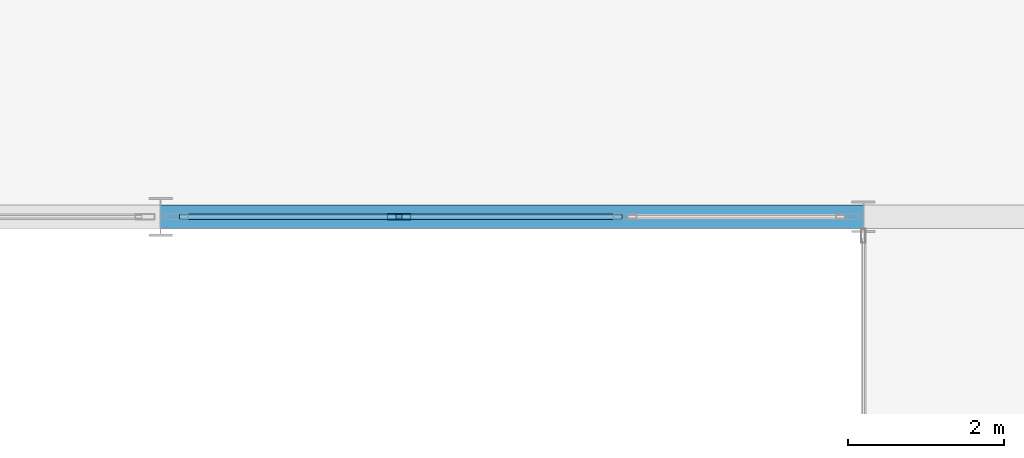
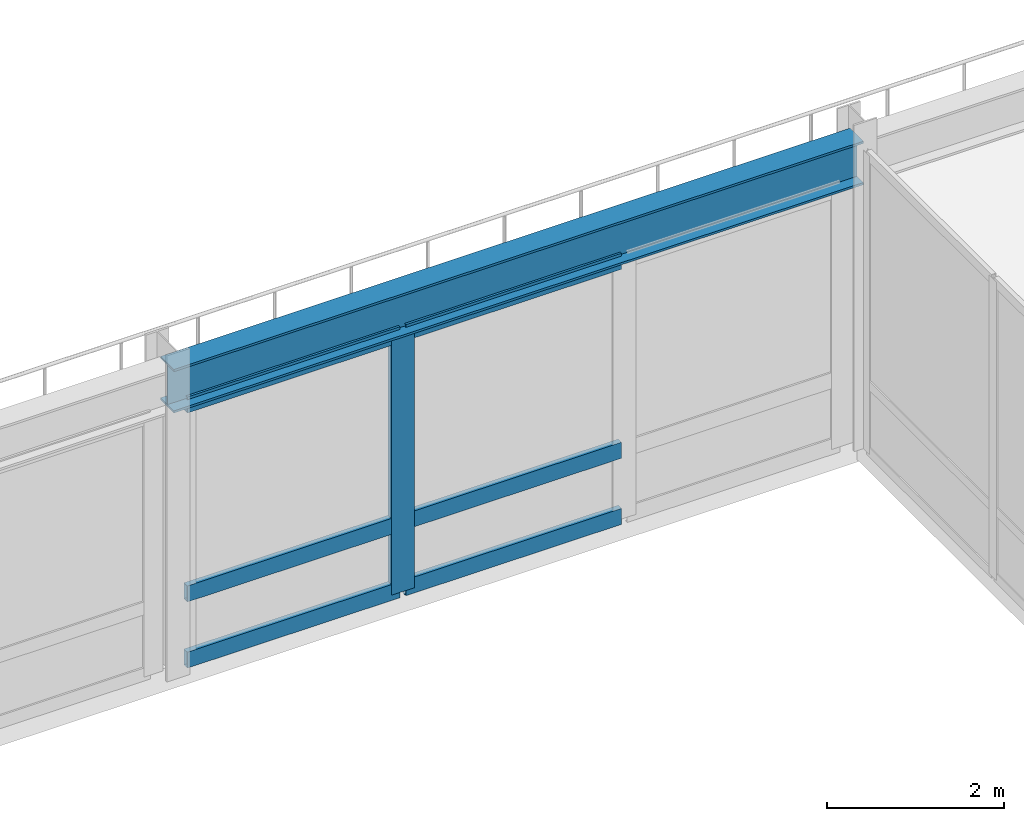
# One storey, part 54 of 115: 7 members, 1 beam, 1 element without a shape of its own.
"""IFC4 building model written with IfcOpenShell, lengths in metres."""

from ifc_helpers import new_model, si_unit, direction, frame, origin, origin_2d, place, context, subcontext, project, spatial, hollow_rectangle, i_section, extrude, material, layer, layer_set, material_profile, profile_set, type_object, element, aggregate, save


model = new_model("IFC4")

# Units and contexts
model_context = context("Model", 3, precision=1e-05, world=origin(), true_north=direction((0.0, 1.0)))
body_context = subcontext(model_context, "Body", "Model", "MODEL_VIEW")
ifc_project = project(units=[si_unit("LENGTHUNIT", "METRE"), si_unit("AREAUNIT", "SQUARE_METRE"), si_unit("VOLUMEUNIT", "CUBIC_METRE"), si_unit("PLANEANGLEUNIT", "RADIAN"), si_unit("MASSUNIT", "GRAM", prefix="KILO")], contexts=[model_context])

# Site, building, storey
site_placement = place(None, origin())
site = spatial("IfcSite", under=ifc_project, at=site_placement, CompositionType="ELEMENT")
building_placement = place(site_placement, origin())
building = spatial("IfcBuilding", under=site, at=building_placement, Name="Montelvaro Courts of Justice", CompositionType="ELEMENT")
storey_placement = place(building_placement, frame((0.0, 0.0, 9.89990234375)))
storey = spatial("IfcBuildingStorey", under=building, at=storey_placement, Name="L02", CompositionType="ELEMENT", Elevation=9.89990234375)

# Beam
ifc_material_1 = material(Name="Steel S355", Category="steel")
ifc_material_profile_1 = material_profile(ifc_material_1, i_section(OverallWidth=0.300048828125, OverallDepth=0.60009765625, WebThickness=0.015380859375, FlangeThickness=0.030029296875, at=origin_2d()), Name="HEB 600")
ifc_profile_set_1 = profile_set([ifc_material_profile_1], Name="Steel S355")
beam_type = type_object("IfcBeamType", Name="Beam_HEB600", PredefinedType="USERDEFINED", material=ifc_profile_set_1)
beam_placement = place(storey_placement, frame((45.0, 78.0, 3.900146484375), z_axis=(1.0, 0.0, 0.0), x_axis=(0.0, 1.0, 0.0)))
element("IfcBeam", 1, at=beam_placement, inside=storey, type_object=beam_type, Name="V1 Roof Eave Girder", ObjectType="GIRDER", PredefinedType="USERDEFINED", context=body_context, shape_type="SweptSolid", body=[
    extrude(i_section(OverallWidth=0.300048828125, OverallDepth=0.60009765625, WebThickness=0.015380859375, FlangeThickness=0.030029296875, at=origin_2d()), origin(), (0.0, 0.0, 1.0), 9.0),
])

# Curtain wall, members
ifc_material_2 = material(Name="Anodised aluminium EN AW-6063", Category="aluminium")
ifc_layer = layer(ifc_material_2, 0.159912109375)
ifc_layer_set = layer_set([ifc_layer], Name="Anodised aluminium EN AW-6063")
curtain_wall_type = type_object("IfcCurtainWallType", Name="CurtainWall_14_867x418", PredefinedType="USERDEFINED", material=ifc_layer_set)
curtain_wall_placement = place(storey_placement, origin())
curtain_wall = element("IfcCurtainWall", 2, at=curtain_wall_placement, inside=storey, type_object=curtain_wall_type, Name="Curtain Wall CW-14 (L02)", ObjectType="CURTAIN WALL", PredefinedType="USERDEFINED")
ifc_material_profile_2 = material_profile(ifc_material_2, hollow_rectangle(XDim=0.074951171875, YDim=0.300048828125, WallThickness=0.006103515625, at=origin_2d()), Name="ALU-M 75x300")
ifc_profile_set_2 = profile_set([ifc_material_profile_2], Name="Anodised aluminium EN AW-6063")
member_type_1 = type_object("IfcMemberType", Name="CurtainWall_Mullion_75x300", PredefinedType="MULLION", material=ifc_profile_set_2)
member_1_placement = place(storey_placement, frame((48.054931640625, 78.0, 0.0), z_axis=(0.0, 0.0, 1.0), x_axis=(0.0, 1.0, 0.0)))
member_1 = element("IfcMember", 3, at=member_1_placement, type_object=member_type_1, Name="CW-14 mullion 2", PredefinedType="MULLION", context=body_context, shape_type="SweptSolid", body=[
    extrude(hollow_rectangle(XDim=0.074951171875, YDim=0.300048828125, WallThickness=0.006103515625, at=origin_2d()), origin(), (0.0, 0.0, 1.0), 3.59521484375),
])
ifc_material_profile_3 = material_profile(ifc_material_2, hollow_rectangle(XDim=0.074951171875, YDim=0.219970703125, WallThickness=0.005615234375, at=origin_2d()), Name="ALU-T 75x220")
ifc_profile_set_3 = profile_set([ifc_material_profile_3], Name="Anodised aluminium EN AW-6063")
member_type_2 = type_object("IfcMemberType", Name="CurtainWall_Transom_75x220", PredefinedType="USERDEFINED", material=ifc_profile_set_3)
member_2_placement = place(storey_placement, frame((45.239990234375, 78.0, 0.03759765625), z_axis=(1.0, 0.0, 0.0), x_axis=(0.0, 1.0, 0.0)))
member_2 = element("IfcMember", 4, at=member_2_placement, type_object=member_type_2, Name="CW-14 transom 1.1", ObjectType="TRANSOM", PredefinedType="USERDEFINED", context=body_context, shape_type="SweptSolid", body=[
    extrude(hollow_rectangle(XDim=0.074951171875, YDim=0.219970703125, WallThickness=0.005615234375, at=origin_2d()), origin(), (0.0, 0.0, 1.0), 2.777587890625),
])
member_3_placement = place(storey_placement, frame((45.239990234375, 78.0, 0.9501953125), z_axis=(1.0, 0.0, 0.0), x_axis=(0.0, 1.0, 0.0)))
member_3 = element("IfcMember", 5, at=member_3_placement, type_object=member_type_2, Name="CW-14 transom 1.2", ObjectType="TRANSOM", PredefinedType="USERDEFINED", context=body_context, shape_type="SweptSolid", body=[
    extrude(hollow_rectangle(XDim=0.074951171875, YDim=0.219970703125, WallThickness=0.005615234375, at=origin_2d()), origin(), (0.0, 0.0, 1.0), 2.777587890625),
])
member_4_placement = place(storey_placement, frame((45.239990234375, 78.0, 3.5576171875), z_axis=(1.0, 0.0, 0.0), x_axis=(0.0, 1.0, 0.0)))
member_4 = element("IfcMember", 6, at=member_4_placement, type_object=member_type_2, Name="CW-14 transom 1.3", ObjectType="TRANSOM", PredefinedType="USERDEFINED", context=body_context, shape_type="SweptSolid", body=[
    extrude(hollow_rectangle(XDim=0.074951171875, YDim=0.219970703125, WallThickness=0.005615234375, at=origin_2d()), origin(), (0.0, 0.0, 1.0), 2.777587890625),
])
member_5_placement = place(storey_placement, frame((48.092529296875, 78.0, 0.03759765625), z_axis=(1.0, 0.0, 0.0), x_axis=(0.0, 1.0, 0.0)))
member_5 = element("IfcMember", 7, at=member_5_placement, type_object=member_type_2, Name="CW-14 transom 2.1", ObjectType="TRANSOM", PredefinedType="USERDEFINED", context=body_context, shape_type="SweptSolid", body=[
    extrude(hollow_rectangle(XDim=0.074951171875, YDim=0.219970703125, WallThickness=0.005615234375, at=origin_2d()), origin(), (0.0, 0.0, 1.0), 2.81494140625),
])
member_6_placement = place(storey_placement, frame((48.092529296875, 78.0, 0.9501953125), z_axis=(1.0, 0.0, 0.0), x_axis=(0.0, 1.0, 0.0)))
member_6 = element("IfcMember", 8, at=member_6_placement, type_object=member_type_2, Name="CW-14 transom 2.2", ObjectType="TRANSOM", PredefinedType="USERDEFINED", context=body_context, shape_type="SweptSolid", body=[
    extrude(hollow_rectangle(XDim=0.074951171875, YDim=0.219970703125, WallThickness=0.005615234375, at=origin_2d()), origin(), (0.0, 0.0, 1.0), 2.81494140625),
])
member_7_placement = place(storey_placement, frame((48.092529296875, 78.0, 3.5576171875), z_axis=(1.0, 0.0, 0.0), x_axis=(0.0, 1.0, 0.0)))
member_7 = element("IfcMember", 9, at=member_7_placement, type_object=member_type_2, Name="CW-14 transom 2.3", ObjectType="TRANSOM", PredefinedType="USERDEFINED", context=body_context, shape_type="SweptSolid", body=[
    extrude(hollow_rectangle(XDim=0.074951171875, YDim=0.219970703125, WallThickness=0.005615234375, at=origin_2d()), origin(), (0.0, 0.0, 1.0), 2.81494140625),
])
aggregate(curtain_wall, [member_1, member_2, member_3, member_4, member_5, member_6, member_7])

save(model, "model.ifc")
